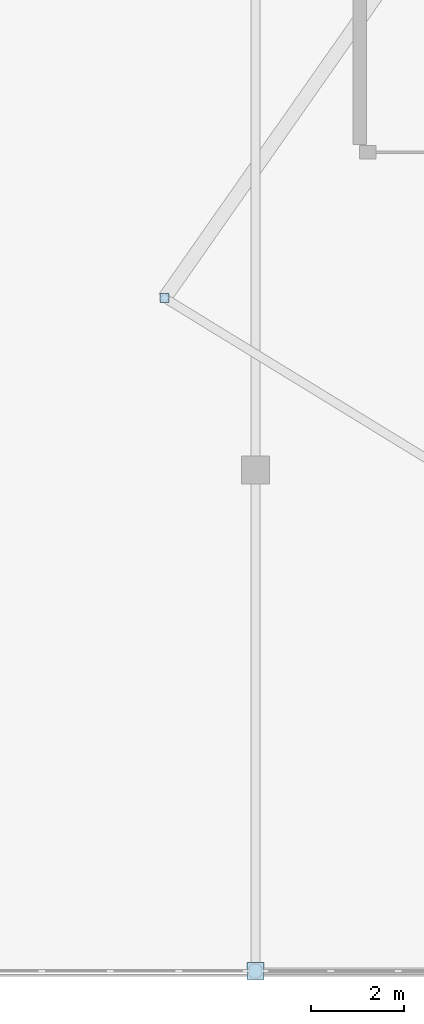
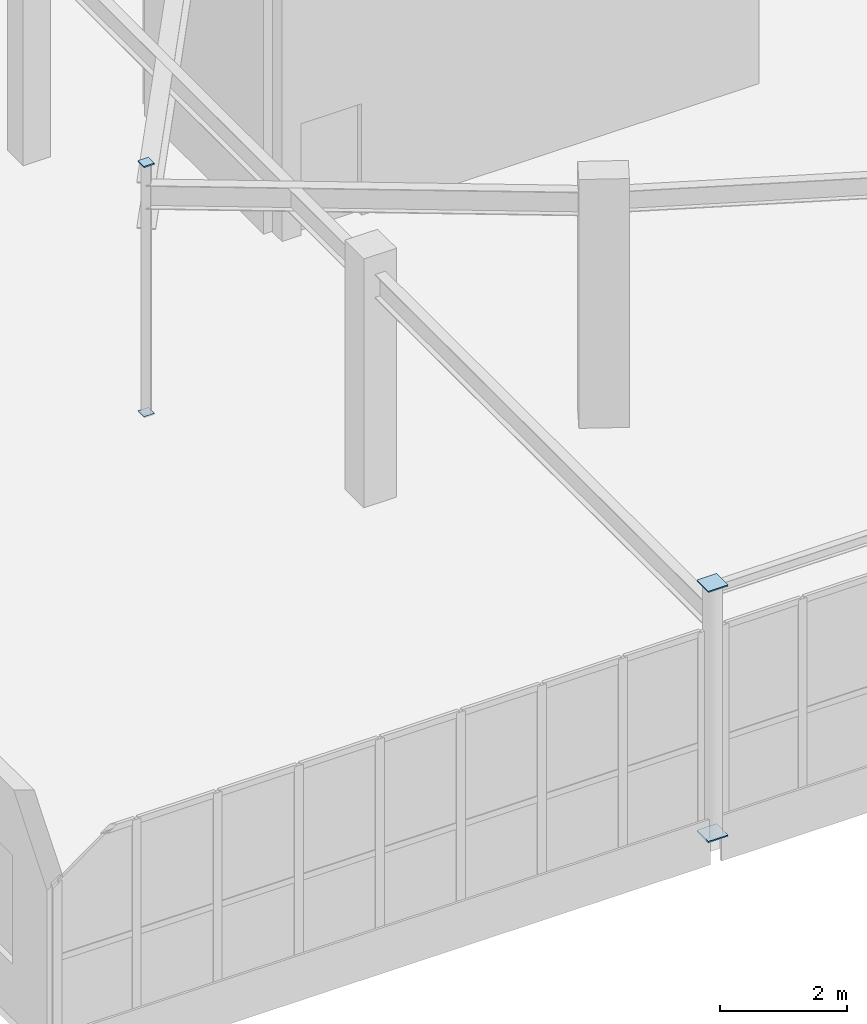
# One storey, part 129 of 186: 4 plates.
"""IFC4 building model written with IfcOpenShell, lengths in metres."""

from ifc_helpers import new_model, si_unit, direction, frame, origin, origin_2d, place, context, subcontext, project, spatial, rectangle, extrude, material, layer, layer_set, type_object, element, save


model = new_model("IFC4")

# Units and contexts
model_context = context("Model", 3, precision=1e-05, world=origin(), true_north=direction((0.0, 1.0)))
body_context = subcontext(model_context, "Body", "Model", "MODEL_VIEW")
ifc_project = project(units=[si_unit("LENGTHUNIT", "METRE"), si_unit("AREAUNIT", "SQUARE_METRE"), si_unit("VOLUMEUNIT", "CUBIC_METRE"), si_unit("PLANEANGLEUNIT", "RADIAN"), si_unit("MASSUNIT", "GRAM", prefix="KILO")], contexts=[model_context])

# Site, building, storey
site_placement = place(None, origin())
site = spatial("IfcSite", under=ifc_project, at=site_placement, CompositionType="ELEMENT")
building_placement = place(site_placement, origin())
building = spatial("IfcBuilding", under=site, at=building_placement, Name="Tarnwether General Hospital", CompositionType="ELEMENT")
storey_placement = place(building_placement, frame((0.0, 0.0, 9.60009765625)))
storey = spatial("IfcBuildingStorey", under=building, at=storey_placement, Name="L02", CompositionType="ELEMENT", Elevation=9.60009765625)

# Plates
ifc_material = material(Name="Steel Grade 350 (350 MPa)", Category="steel")
ifc_layer = layer(ifc_material, 0.02490234375)
ifc_layer_set = layer_set([ifc_layer], Name="Steel Grade 350 (350 MPa)")
plate_type = type_object("IfcPlateType", Name="PT-GUS2", PredefinedType="USERDEFINED", material=ifc_layer_set)
for number, where, z_axis, x_axis, name in (
    (1, (60.0, 0.0, -0.025146484375), (0.0, 0.0, 1.0), (1.0, 0.0, 0.0), "Hollow Section Welded End Cap Plate 0121"),
    (2, (60.0, 0.0, 4.800048828125), (0.0, 0.0, 1.0), (1.0, 0.0, 0.0), "Hollow Section Welded End Cap Plate 0122"),
):
    element("IfcPlate", number, at=place(storey_placement, frame(where, z_axis=z_axis, x_axis=x_axis)), inside=storey, type_object=plate_type, Name=name, ObjectType="GUSSET", PredefinedType="USERDEFINED", context=body_context, shape_type="SweptSolid", body=[
        extrude(rectangle(XDim=0.364013671875, YDim=0.364013671875, at=origin_2d()), origin(), (0.0, 0.0, 1.0), 0.02490234375),
    ])
for number, where, z_axis, x_axis, name in (
    (3, (58.0439453125, 14.506103515625, -0.025146484375), (0.0, 0.0, 1.0), (1.0, 0.0, 0.0), "Hollow Section Welded End Cap Plate 0615"),
    (4, (58.0439453125, 14.506103515625, 4.800048828125), (0.0, 0.0, 1.0), (1.0, 0.0, 0.0), "Hollow Section Welded End Cap Plate 0616"),
):
    element("IfcPlate", number, at=place(storey_placement, frame(where, z_axis=z_axis, x_axis=x_axis)), inside=storey, type_object=plate_type, Name=name, ObjectType="GUSSET", PredefinedType="USERDEFINED", context=body_context, shape_type="SweptSolid", body=[
        extrude(rectangle(XDim=0.18994140625, YDim=0.18994140625, at=origin_2d()), origin(), (0.0, 0.0, 1.0), 0.02490234375),
    ])

save(model, "model.ifc")
